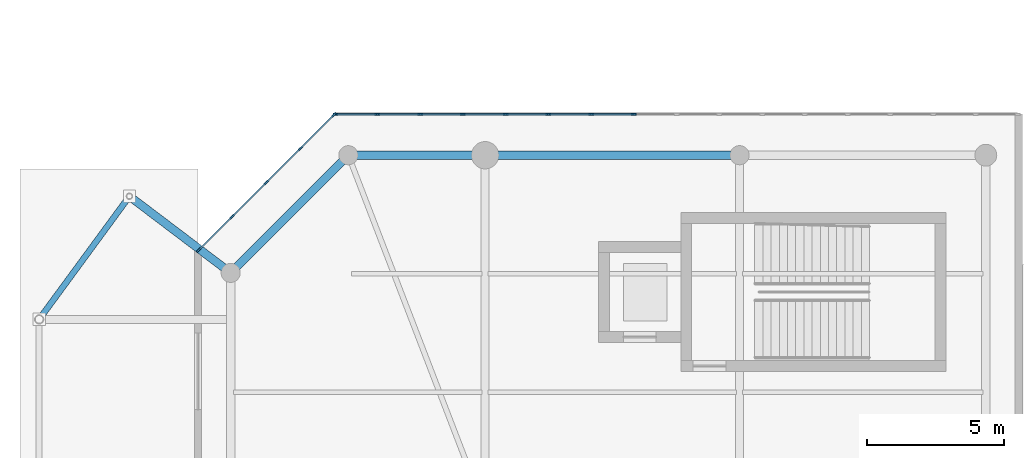
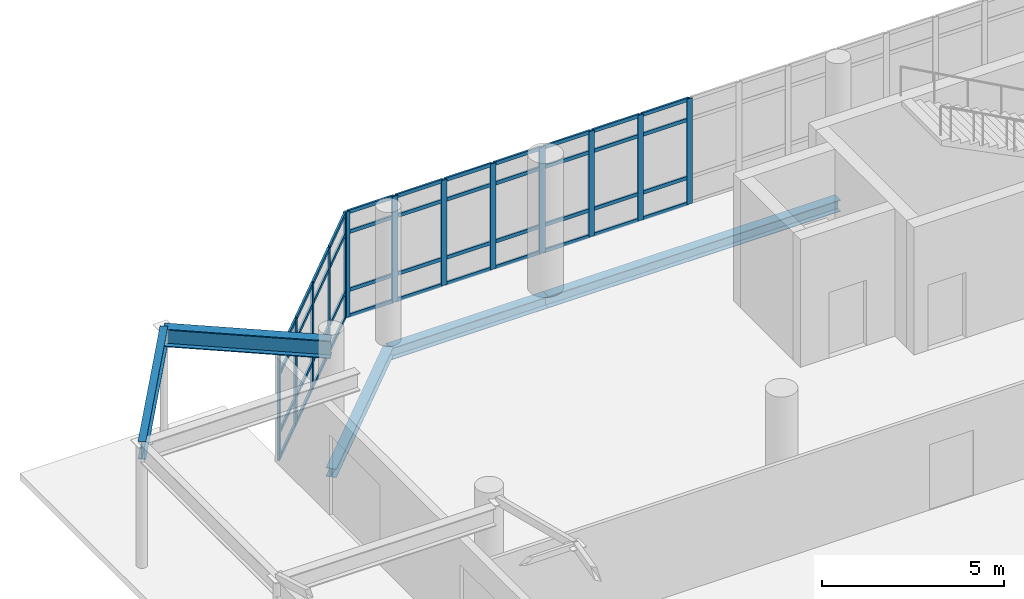
# One storey, part 50 of 122: 57 members, 5 beams, 2 elements without a shape of their own.
"""IFC4 building model written with IfcOpenShell, lengths in metres."""

from ifc_helpers import new_model, si_unit, direction, frame, origin, origin_2d, place, context, subcontext, project, spatial, rectangle, i_section, extrude, material, layer, layer_set, material_profile, profile_set, type_object, element, aggregate, save


model = new_model("IFC4")

# Units and contexts
model_context = context("Model", 3, precision=1e-05, world=origin(), true_north=direction((0.0, 1.0)))
body_context = subcontext(model_context, "Body", "Model", "MODEL_VIEW")
ifc_project = project(units=[si_unit("LENGTHUNIT", "METRE"), si_unit("AREAUNIT", "SQUARE_METRE"), si_unit("VOLUMEUNIT", "CUBIC_METRE"), si_unit("PLANEANGLEUNIT", "RADIAN"), si_unit("MASSUNIT", "GRAM", prefix="KILO")], contexts=[model_context])

# Site, building, storey
site_placement = place(None, origin())
site = spatial("IfcSite", under=ifc_project, at=site_placement, CompositionType="ELEMENT")
building_placement = place(site_placement, origin())
building = spatial("IfcBuilding", under=site, at=building_placement, Name="Sohan Crest Arena", CompositionType="ELEMENT")
storey_placement = place(building_placement, origin())
storey = spatial("IfcBuildingStorey", under=building, at=storey_placement, Name="L00", CompositionType="ELEMENT", Elevation=0.0)

# Curtain wall, members
ifc_material_1 = material(Name="Thermally broken anodised aluminium", Category="aluminium")
ifc_layer = layer(ifc_material_1, 0.199951171875, Name="Thermally broken anodised aluminium")
ifc_layer_set = layer_set([ifc_layer], Name="Thermally broken anodised aluminium")
curtain_wall_type = type_object("IfcCurtainWallType", Name="ARC-CW02", PredefinedType="NOTDEFINED", material=ifc_layer_set)
curtain_wall_1_placement = place(storey_placement, origin())
curtain_wall_1 = element("IfcCurtainWall", 1, at=curtain_wall_1_placement, inside=storey, type_object=curtain_wall_type, Name="Unitised curtain wall CW-203", PredefinedType="NOTDEFINED")
ifc_material_profile_1 = material_profile(ifc_material_1, rectangle(XDim=0.06494140625, YDim=0.179931640625, at=origin_2d()), Name="ALU-MULL 65x180")
ifc_profile_set_1 = profile_set([ifc_material_profile_1], Name="Thermally broken anodised aluminium")
member_type_1 = type_object("IfcMemberType", Name="ARC-CW-ML02", PredefinedType="MULLION", material=ifc_profile_set_1)
member_1_placement = place(storey_placement, frame((29.9375, 106.0, 0.0), z_axis=(0.0, 0.0, 1.0), x_axis=(0.0, -1.0, 0.0)))
member_1 = element("IfcMember", 2, at=member_1_placement, type_object=member_type_1, Name="CW-203 mullion 10", PredefinedType="MULLION", context=body_context, shape_type="SweptSolid", body=[
    extrude(rectangle(XDim=0.06494140625, YDim=0.179931640625, at=origin_2d()), origin(), (0.0, 0.0, 1.0), 3.550048828125),
])
member_2_placement = place(storey_placement, frame((28.375, 106.0, 0.0), z_axis=(0.0, 0.0, 1.0), x_axis=(0.0, -1.0, 0.0)))
member_2 = element("IfcMember", 3, at=member_2_placement, type_object=member_type_1, Name="CW-203 mullion 11", PredefinedType="MULLION", context=body_context, shape_type="SweptSolid", body=[
    extrude(rectangle(XDim=0.06494140625, YDim=0.179931640625, at=origin_2d()), origin(), (0.0, 0.0, 1.0), 3.550048828125),
])
member_3_placement = place(storey_placement, frame((26.8125, 106.0, 0.0), z_axis=(0.0, 0.0, 1.0), x_axis=(0.0, -1.0, 0.0)))
member_3 = element("IfcMember", 4, at=member_3_placement, type_object=member_type_1, Name="CW-203 mullion 12", PredefinedType="MULLION", context=body_context, shape_type="SweptSolid", body=[
    extrude(rectangle(XDim=0.06494140625, YDim=0.179931640625, at=origin_2d()), origin(), (0.0, 0.0, 1.0), 3.550048828125),
])
member_4_placement = place(storey_placement, frame((25.25, 106.0, 0.0), z_axis=(0.0, 0.0, 1.0), x_axis=(0.0, -1.0, 0.0)))
member_4 = element("IfcMember", 5, at=member_4_placement, type_object=member_type_1, Name="CW-203 mullion 13", PredefinedType="MULLION", context=body_context, shape_type="SweptSolid", body=[
    extrude(rectangle(XDim=0.06494140625, YDim=0.179931640625, at=origin_2d()), origin(), (0.0, 0.0, 1.0), 3.550048828125),
])
member_5_placement = place(storey_placement, frame((23.6875, 106.0, 0.0), z_axis=(0.0, 0.0, 1.0), x_axis=(0.0, -1.0, 0.0)))
member_5 = element("IfcMember", 6, at=member_5_placement, type_object=member_type_1, Name="CW-203 mullion 14", PredefinedType="MULLION", context=body_context, shape_type="SweptSolid", body=[
    extrude(rectangle(XDim=0.06494140625, YDim=0.179931640625, at=origin_2d()), origin(), (0.0, 0.0, 1.0), 3.550048828125),
])
member_6_placement = place(storey_placement, frame((22.125, 106.0, 0.0), z_axis=(0.0, 0.0, 1.0), x_axis=(0.0, -1.0, 0.0)))
member_6 = element("IfcMember", 7, at=member_6_placement, type_object=member_type_1, Name="CW-203 mullion 15", PredefinedType="MULLION", context=body_context, shape_type="SweptSolid", body=[
    extrude(rectangle(XDim=0.06494140625, YDim=0.179931640625, at=origin_2d()), origin(), (0.0, 0.0, 1.0), 3.550048828125),
])
member_7_placement = place(storey_placement, frame((20.5625, 106.0, 0.0), z_axis=(0.0, 0.0, 1.0), x_axis=(0.0, -1.0, 0.0)))
member_7 = element("IfcMember", 8, at=member_7_placement, type_object=member_type_1, Name="CW-203 mullion 16", PredefinedType="MULLION", context=body_context, shape_type="SweptSolid", body=[
    extrude(rectangle(XDim=0.06494140625, YDim=0.179931640625, at=origin_2d()), origin(), (0.0, 0.0, 1.0), 3.550048828125),
])
member_8_placement = place(storey_placement, frame((19.032470703125, 106.0, 0.0), z_axis=(0.0, 0.0, 1.0), x_axis=(0.0, -1.0, 0.0)))
member_8 = element("IfcMember", 9, at=member_8_placement, type_object=member_type_1, Name="CW-203 mullion 17", PredefinedType="MULLION", context=body_context, shape_type="SweptSolid", body=[
    extrude(rectangle(XDim=0.06494140625, YDim=0.179931640625, at=origin_2d()), origin(), (0.0, 0.0, 1.0), 3.550048828125),
])

curtain_wall_2_placement = place(storey_placement, origin())
curtain_wall_2 = element("IfcCurtainWall", 10, at=curtain_wall_2_placement, inside=storey, type_object=curtain_wall_type, Name="Unitised curtain wall CW-204", PredefinedType="NOTDEFINED")
member_9_placement = place(storey_placement, frame((18.97705078125, 105.97705078125, 0.0), z_axis=(0.0, 0.0, 1.0), x_axis=(0.707106781187, -0.707106781187, 0.0)))
member_9 = element("IfcMember", 11, at=member_9_placement, type_object=member_type_1, Name="CW-204 mullion 1", PredefinedType="MULLION", context=body_context, shape_type="SweptSolid", body=[
    extrude(rectangle(XDim=0.06494140625, YDim=0.179931640625, at=origin_2d()), origin(), (0.0, 0.0, 1.0), 3.550048828125),
])
member_10_placement = place(storey_placement, frame((17.75, 104.75, 0.0), z_axis=(0.0, 0.0, 1.0), x_axis=(0.707106781187, -0.707106781187, 0.0)))
member_10 = element("IfcMember", 12, at=member_10_placement, type_object=member_type_1, Name="CW-204 mullion 2", PredefinedType="MULLION", context=body_context, shape_type="SweptSolid", body=[
    extrude(rectangle(XDim=0.06494140625, YDim=0.179931640625, at=origin_2d()), origin(), (0.0, 0.0, 1.0), 3.550048828125),
])
member_11_placement = place(storey_placement, frame((16.5, 103.5, 0.0), z_axis=(0.0, 0.0, 1.0), x_axis=(0.707106781187, -0.707106781187, 0.0)))
member_11 = element("IfcMember", 13, at=member_11_placement, type_object=member_type_1, Name="CW-204 mullion 3", PredefinedType="MULLION", context=body_context, shape_type="SweptSolid", body=[
    extrude(rectangle(XDim=0.06494140625, YDim=0.179931640625, at=origin_2d()), origin(), (0.0, 0.0, 1.0), 3.550048828125),
])
member_12_placement = place(storey_placement, frame((15.25, 102.25, 0.0), z_axis=(0.0, 0.0, 1.0), x_axis=(0.707106781187, -0.707106781187, 0.0)))
member_12 = element("IfcMember", 14, at=member_12_placement, type_object=member_type_1, Name="CW-204 mullion 4", PredefinedType="MULLION", context=body_context, shape_type="SweptSolid", body=[
    extrude(rectangle(XDim=0.06494140625, YDim=0.179931640625, at=origin_2d()), origin(), (0.0, 0.0, 1.0), 3.550048828125),
])
member_13_placement = place(storey_placement, frame((14.02294921875, 101.02294921875, 0.0), z_axis=(0.0, 0.0, 1.0), x_axis=(0.707106781187, -0.707106781187, 0.0)))
member_13 = element("IfcMember", 15, at=member_13_placement, type_object=member_type_1, Name="CW-204 mullion 5", PredefinedType="MULLION", context=body_context, shape_type="SweptSolid", body=[
    extrude(rectangle(XDim=0.06494140625, YDim=0.179931640625, at=origin_2d()), origin(), (0.0, 0.0, 1.0), 3.550048828125),
])

# Member
ifc_material_profile_2 = material_profile(ifc_material_1, rectangle(XDim=0.06005859375, YDim=0.1201171875, at=origin_2d()), Name="ALU-TRAN 60x120")
ifc_profile_set_2 = profile_set([ifc_material_profile_2], Name="Thermally broken anodised aluminium")
member_type_2 = type_object("IfcMemberType", Name="ARC-CW-TR01", PredefinedType="USERDEFINED", material=ifc_profile_set_2)
member_14_placement = place(storey_placement, frame((29.905029296875, 106.0, 0.030029296875), z_axis=(-1.0, 0.0, 0.0), x_axis=(0.0, -1.0, 0.0)))
member_14 = element("IfcMember", 16, at=member_14_placement, type_object=member_type_2, Name="CW-203 transom 10.1", ObjectType="TRANSOM", PredefinedType="USERDEFINED", context=body_context, shape_type="SweptSolid", body=[
    extrude(rectangle(XDim=0.06005859375, YDim=0.1201171875, at=origin_2d()), origin(), (0.0, 0.0, 1.0), 1.49755859375),
])

member_15_placement = place(storey_placement, frame((29.905029296875, 106.0, 0.89990234375), z_axis=(-1.0, 0.0, 0.0), x_axis=(0.0, -1.0, 0.0)))
member_15 = element("IfcMember", 17, at=member_15_placement, type_object=member_type_2, Name="CW-203 transom 10.2", ObjectType="TRANSOM", PredefinedType="USERDEFINED", context=body_context, shape_type="SweptSolid", body=[
    extrude(rectangle(XDim=0.06005859375, YDim=0.1201171875, at=origin_2d()), origin(), (0.0, 0.0, 1.0), 1.49755859375),
])

member_16_placement = place(storey_placement, frame((29.905029296875, 106.0, 2.85009765625), z_axis=(-1.0, 0.0, 0.0), x_axis=(0.0, -1.0, 0.0)))
member_16 = element("IfcMember", 18, at=member_16_placement, type_object=member_type_2, Name="CW-203 transom 10.3", ObjectType="TRANSOM", PredefinedType="USERDEFINED", context=body_context, shape_type="SweptSolid", body=[
    extrude(rectangle(XDim=0.06005859375, YDim=0.1201171875, at=origin_2d()), origin(), (0.0, 0.0, 1.0), 1.49755859375),
])

member_17_placement = place(storey_placement, frame((29.905029296875, 106.0, 3.52001953125), z_axis=(-1.0, 0.0, 0.0), x_axis=(0.0, -1.0, 0.0)))
member_17 = element("IfcMember", 19, at=member_17_placement, type_object=member_type_2, Name="CW-203 transom 10.4", ObjectType="TRANSOM", PredefinedType="USERDEFINED", context=body_context, shape_type="SweptSolid", body=[
    extrude(rectangle(XDim=0.06005859375, YDim=0.1201171875, at=origin_2d()), origin(), (0.0, 0.0, 1.0), 1.49755859375),
])

member_18_placement = place(storey_placement, frame((28.342529296875, 106.0, 0.030029296875), z_axis=(-1.0, 0.0, 0.0), x_axis=(0.0, -1.0, 0.0)))
member_18 = element("IfcMember", 20, at=member_18_placement, type_object=member_type_2, Name="CW-203 transom 11.1", ObjectType="TRANSOM", PredefinedType="USERDEFINED", context=body_context, shape_type="SweptSolid", body=[
    extrude(rectangle(XDim=0.06005859375, YDim=0.1201171875, at=origin_2d()), origin(), (0.0, 0.0, 1.0), 1.49755859375),
])

member_19_placement = place(storey_placement, frame((28.342529296875, 106.0, 0.89990234375), z_axis=(-1.0, 0.0, 0.0), x_axis=(0.0, -1.0, 0.0)))
member_19 = element("IfcMember", 21, at=member_19_placement, type_object=member_type_2, Name="CW-203 transom 11.2", ObjectType="TRANSOM", PredefinedType="USERDEFINED", context=body_context, shape_type="SweptSolid", body=[
    extrude(rectangle(XDim=0.06005859375, YDim=0.1201171875, at=origin_2d()), origin(), (0.0, 0.0, 1.0), 1.49755859375),
])

member_20_placement = place(storey_placement, frame((28.342529296875, 106.0, 2.85009765625), z_axis=(-1.0, 0.0, 0.0), x_axis=(0.0, -1.0, 0.0)))
member_20 = element("IfcMember", 22, at=member_20_placement, type_object=member_type_2, Name="CW-203 transom 11.3", ObjectType="TRANSOM", PredefinedType="USERDEFINED", context=body_context, shape_type="SweptSolid", body=[
    extrude(rectangle(XDim=0.06005859375, YDim=0.1201171875, at=origin_2d()), origin(), (0.0, 0.0, 1.0), 1.49755859375),
])

member_21_placement = place(storey_placement, frame((28.342529296875, 106.0, 3.52001953125), z_axis=(-1.0, 0.0, 0.0), x_axis=(0.0, -1.0, 0.0)))
member_21 = element("IfcMember", 23, at=member_21_placement, type_object=member_type_2, Name="CW-203 transom 11.4", ObjectType="TRANSOM", PredefinedType="USERDEFINED", context=body_context, shape_type="SweptSolid", body=[
    extrude(rectangle(XDim=0.06005859375, YDim=0.1201171875, at=origin_2d()), origin(), (0.0, 0.0, 1.0), 1.49755859375),
])

member_22_placement = place(storey_placement, frame((26.780029296875, 106.0, 0.030029296875), z_axis=(-1.0, 0.0, 0.0), x_axis=(0.0, -1.0, 0.0)))
member_22 = element("IfcMember", 24, at=member_22_placement, type_object=member_type_2, Name="CW-203 transom 12.1", ObjectType="TRANSOM", PredefinedType="USERDEFINED", context=body_context, shape_type="SweptSolid", body=[
    extrude(rectangle(XDim=0.06005859375, YDim=0.1201171875, at=origin_2d()), origin(), (0.0, 0.0, 1.0), 1.49755859375),
])

member_23_placement = place(storey_placement, frame((26.780029296875, 106.0, 0.89990234375), z_axis=(-1.0, 0.0, 0.0), x_axis=(0.0, -1.0, 0.0)))
member_23 = element("IfcMember", 25, at=member_23_placement, type_object=member_type_2, Name="CW-203 transom 12.2", ObjectType="TRANSOM", PredefinedType="USERDEFINED", context=body_context, shape_type="SweptSolid", body=[
    extrude(rectangle(XDim=0.06005859375, YDim=0.1201171875, at=origin_2d()), origin(), (0.0, 0.0, 1.0), 1.49755859375),
])

member_24_placement = place(storey_placement, frame((26.780029296875, 106.0, 2.85009765625), z_axis=(-1.0, 0.0, 0.0), x_axis=(0.0, -1.0, 0.0)))
member_24 = element("IfcMember", 26, at=member_24_placement, type_object=member_type_2, Name="CW-203 transom 12.3", ObjectType="TRANSOM", PredefinedType="USERDEFINED", context=body_context, shape_type="SweptSolid", body=[
    extrude(rectangle(XDim=0.06005859375, YDim=0.1201171875, at=origin_2d()), origin(), (0.0, 0.0, 1.0), 1.49755859375),
])

member_25_placement = place(storey_placement, frame((26.780029296875, 106.0, 3.52001953125), z_axis=(-1.0, 0.0, 0.0), x_axis=(0.0, -1.0, 0.0)))
member_25 = element("IfcMember", 27, at=member_25_placement, type_object=member_type_2, Name="CW-203 transom 12.4", ObjectType="TRANSOM", PredefinedType="USERDEFINED", context=body_context, shape_type="SweptSolid", body=[
    extrude(rectangle(XDim=0.06005859375, YDim=0.1201171875, at=origin_2d()), origin(), (0.0, 0.0, 1.0), 1.49755859375),
])

member_26_placement = place(storey_placement, frame((25.217529296875, 106.0, 0.030029296875), z_axis=(-1.0, 0.0, 0.0), x_axis=(0.0, -1.0, 0.0)))
member_26 = element("IfcMember", 28, at=member_26_placement, type_object=member_type_2, Name="CW-203 transom 13.1", ObjectType="TRANSOM", PredefinedType="USERDEFINED", context=body_context, shape_type="SweptSolid", body=[
    extrude(rectangle(XDim=0.06005859375, YDim=0.1201171875, at=origin_2d()), origin(), (0.0, 0.0, 1.0), 1.49755859375),
])

member_27_placement = place(storey_placement, frame((25.217529296875, 106.0, 0.89990234375), z_axis=(-1.0, 0.0, 0.0), x_axis=(0.0, -1.0, 0.0)))
member_27 = element("IfcMember", 29, at=member_27_placement, type_object=member_type_2, Name="CW-203 transom 13.2", ObjectType="TRANSOM", PredefinedType="USERDEFINED", context=body_context, shape_type="SweptSolid", body=[
    extrude(rectangle(XDim=0.06005859375, YDim=0.1201171875, at=origin_2d()), origin(), (0.0, 0.0, 1.0), 1.49755859375),
])

member_28_placement = place(storey_placement, frame((25.217529296875, 106.0, 2.85009765625), z_axis=(-1.0, 0.0, 0.0), x_axis=(0.0, -1.0, 0.0)))
member_28 = element("IfcMember", 30, at=member_28_placement, type_object=member_type_2, Name="CW-203 transom 13.3", ObjectType="TRANSOM", PredefinedType="USERDEFINED", context=body_context, shape_type="SweptSolid", body=[
    extrude(rectangle(XDim=0.06005859375, YDim=0.1201171875, at=origin_2d()), origin(), (0.0, 0.0, 1.0), 1.49755859375),
])

member_29_placement = place(storey_placement, frame((25.217529296875, 106.0, 3.52001953125), z_axis=(-1.0, 0.0, 0.0), x_axis=(0.0, -1.0, 0.0)))
member_29 = element("IfcMember", 31, at=member_29_placement, type_object=member_type_2, Name="CW-203 transom 13.4", ObjectType="TRANSOM", PredefinedType="USERDEFINED", context=body_context, shape_type="SweptSolid", body=[
    extrude(rectangle(XDim=0.06005859375, YDim=0.1201171875, at=origin_2d()), origin(), (0.0, 0.0, 1.0), 1.49755859375),
])

member_30_placement = place(storey_placement, frame((23.655029296875, 106.0, 0.030029296875), z_axis=(-1.0, 0.0, 0.0), x_axis=(0.0, -1.0, 0.0)))
member_30 = element("IfcMember", 32, at=member_30_placement, type_object=member_type_2, Name="CW-203 transom 14.1", ObjectType="TRANSOM", PredefinedType="USERDEFINED", context=body_context, shape_type="SweptSolid", body=[
    extrude(rectangle(XDim=0.06005859375, YDim=0.1201171875, at=origin_2d()), origin(), (0.0, 0.0, 1.0), 1.49755859375),
])

member_31_placement = place(storey_placement, frame((23.655029296875, 106.0, 0.89990234375), z_axis=(-1.0, 0.0, 0.0), x_axis=(0.0, -1.0, 0.0)))
member_31 = element("IfcMember", 33, at=member_31_placement, type_object=member_type_2, Name="CW-203 transom 14.2", ObjectType="TRANSOM", PredefinedType="USERDEFINED", context=body_context, shape_type="SweptSolid", body=[
    extrude(rectangle(XDim=0.06005859375, YDim=0.1201171875, at=origin_2d()), origin(), (0.0, 0.0, 1.0), 1.49755859375),
])

member_32_placement = place(storey_placement, frame((23.655029296875, 106.0, 2.85009765625), z_axis=(-1.0, 0.0, 0.0), x_axis=(0.0, -1.0, 0.0)))
member_32 = element("IfcMember", 34, at=member_32_placement, type_object=member_type_2, Name="CW-203 transom 14.3", ObjectType="TRANSOM", PredefinedType="USERDEFINED", context=body_context, shape_type="SweptSolid", body=[
    extrude(rectangle(XDim=0.06005859375, YDim=0.1201171875, at=origin_2d()), origin(), (0.0, 0.0, 1.0), 1.49755859375),
])

member_33_placement = place(storey_placement, frame((23.655029296875, 106.0, 3.52001953125), z_axis=(-1.0, 0.0, 0.0), x_axis=(0.0, -1.0, 0.0)))
member_33 = element("IfcMember", 35, at=member_33_placement, type_object=member_type_2, Name="CW-203 transom 14.4", ObjectType="TRANSOM", PredefinedType="USERDEFINED", context=body_context, shape_type="SweptSolid", body=[
    extrude(rectangle(XDim=0.06005859375, YDim=0.1201171875, at=origin_2d()), origin(), (0.0, 0.0, 1.0), 1.49755859375),
])

member_34_placement = place(storey_placement, frame((22.092529296875, 106.0, 0.030029296875), z_axis=(-1.0, 0.0, 0.0), x_axis=(0.0, -1.0, 0.0)))
member_34 = element("IfcMember", 36, at=member_34_placement, type_object=member_type_2, Name="CW-203 transom 15.1", ObjectType="TRANSOM", PredefinedType="USERDEFINED", context=body_context, shape_type="SweptSolid", body=[
    extrude(rectangle(XDim=0.06005859375, YDim=0.1201171875, at=origin_2d()), origin(), (0.0, 0.0, 1.0), 1.49755859375),
])

member_35_placement = place(storey_placement, frame((22.092529296875, 106.0, 0.89990234375), z_axis=(-1.0, 0.0, 0.0), x_axis=(0.0, -1.0, 0.0)))
member_35 = element("IfcMember", 37, at=member_35_placement, type_object=member_type_2, Name="CW-203 transom 15.2", ObjectType="TRANSOM", PredefinedType="USERDEFINED", context=body_context, shape_type="SweptSolid", body=[
    extrude(rectangle(XDim=0.06005859375, YDim=0.1201171875, at=origin_2d()), origin(), (0.0, 0.0, 1.0), 1.49755859375),
])

member_36_placement = place(storey_placement, frame((22.092529296875, 106.0, 2.85009765625), z_axis=(-1.0, 0.0, 0.0), x_axis=(0.0, -1.0, 0.0)))
member_36 = element("IfcMember", 38, at=member_36_placement, type_object=member_type_2, Name="CW-203 transom 15.3", ObjectType="TRANSOM", PredefinedType="USERDEFINED", context=body_context, shape_type="SweptSolid", body=[
    extrude(rectangle(XDim=0.06005859375, YDim=0.1201171875, at=origin_2d()), origin(), (0.0, 0.0, 1.0), 1.49755859375),
])

member_37_placement = place(storey_placement, frame((22.092529296875, 106.0, 3.52001953125), z_axis=(-1.0, 0.0, 0.0), x_axis=(0.0, -1.0, 0.0)))
member_37 = element("IfcMember", 39, at=member_37_placement, type_object=member_type_2, Name="CW-203 transom 15.4", ObjectType="TRANSOM", PredefinedType="USERDEFINED", context=body_context, shape_type="SweptSolid", body=[
    extrude(rectangle(XDim=0.06005859375, YDim=0.1201171875, at=origin_2d()), origin(), (0.0, 0.0, 1.0), 1.49755859375),
])

member_38_placement = place(storey_placement, frame((20.530029296875, 106.0, 0.030029296875), z_axis=(-1.0, 0.0, 0.0), x_axis=(0.0, -1.0, 0.0)))
member_38 = element("IfcMember", 40, at=member_38_placement, type_object=member_type_2, Name="CW-203 transom 16.1", ObjectType="TRANSOM", PredefinedType="USERDEFINED", context=body_context, shape_type="SweptSolid", body=[
    extrude(rectangle(XDim=0.06005859375, YDim=0.1201171875, at=origin_2d()), origin(), (0.0, 0.0, 1.0), 1.465087890625),
])

member_39_placement = place(storey_placement, frame((20.530029296875, 106.0, 0.89990234375), z_axis=(-1.0, 0.0, 0.0), x_axis=(0.0, -1.0, 0.0)))
member_39 = element("IfcMember", 41, at=member_39_placement, type_object=member_type_2, Name="CW-203 transom 16.2", ObjectType="TRANSOM", PredefinedType="USERDEFINED", context=body_context, shape_type="SweptSolid", body=[
    extrude(rectangle(XDim=0.06005859375, YDim=0.1201171875, at=origin_2d()), origin(), (0.0, 0.0, 1.0), 1.465087890625),
])

member_40_placement = place(storey_placement, frame((20.530029296875, 106.0, 2.85009765625), z_axis=(-1.0, 0.0, 0.0), x_axis=(0.0, -1.0, 0.0)))
member_40 = element("IfcMember", 42, at=member_40_placement, type_object=member_type_2, Name="CW-203 transom 16.3", ObjectType="TRANSOM", PredefinedType="USERDEFINED", context=body_context, shape_type="SweptSolid", body=[
    extrude(rectangle(XDim=0.06005859375, YDim=0.1201171875, at=origin_2d()), origin(), (0.0, 0.0, 1.0), 1.465087890625),
])

member_41_placement = place(storey_placement, frame((20.530029296875, 106.0, 3.52001953125), z_axis=(-1.0, 0.0, 0.0), x_axis=(0.0, -1.0, 0.0)))
member_41 = element("IfcMember", 43, at=member_41_placement, type_object=member_type_2, Name="CW-203 transom 16.4", ObjectType="TRANSOM", PredefinedType="USERDEFINED", context=body_context, shape_type="SweptSolid", body=[
    extrude(rectangle(XDim=0.06005859375, YDim=0.1201171875, at=origin_2d()), origin(), (0.0, 0.0, 1.0), 1.465087890625),
])

aggregate(curtain_wall_1, [member_1, member_2, member_3, member_4, member_5, member_6, member_7, member_8, member_14, member_15, member_16, member_17, member_18, member_19, member_20, member_21, member_22, member_23, member_24, member_25, member_26, member_27, member_28, member_29, member_30, member_31, member_32, member_33, member_34, member_35, member_36, member_37, member_38, member_39, member_40, member_41])

member_42_placement = place(storey_placement, frame((18.9541015625, 105.9541015625, 0.030029296875), z_axis=(-0.707106781187, -0.707106781187, 0.0), x_axis=(0.707106781187, -0.707106781187, 0.0)))
member_42 = element("IfcMember", 44, at=member_42_placement, type_object=member_type_2, Name="CW-204 transom 1.1", ObjectType="TRANSOM", PredefinedType="USERDEFINED", context=body_context, shape_type="SweptSolid", body=[
    extrude(rectangle(XDim=0.06005859375, YDim=0.1201171875, at=origin_2d()), origin(), (0.0, 0.0, 1.0), 1.67041015625),
])

member_43_placement = place(storey_placement, frame((18.9541015625, 105.9541015625, 0.89990234375), z_axis=(-0.707106781187, -0.707106781187, 0.0), x_axis=(0.707106781187, -0.707106781187, 0.0)))
member_43 = element("IfcMember", 45, at=member_43_placement, type_object=member_type_2, Name="CW-204 transom 1.2", ObjectType="TRANSOM", PredefinedType="USERDEFINED", context=body_context, shape_type="SweptSolid", body=[
    extrude(rectangle(XDim=0.06005859375, YDim=0.1201171875, at=origin_2d()), origin(), (0.0, 0.0, 1.0), 1.67041015625),
])

member_44_placement = place(storey_placement, frame((18.9541015625, 105.9541015625, 2.85009765625), z_axis=(-0.707106781187, -0.707106781187, 0.0), x_axis=(0.707106781187, -0.707106781187, 0.0)))
member_44 = element("IfcMember", 46, at=member_44_placement, type_object=member_type_2, Name="CW-204 transom 1.3", ObjectType="TRANSOM", PredefinedType="USERDEFINED", context=body_context, shape_type="SweptSolid", body=[
    extrude(rectangle(XDim=0.06005859375, YDim=0.1201171875, at=origin_2d()), origin(), (0.0, 0.0, 1.0), 1.67041015625),
])

member_45_placement = place(storey_placement, frame((18.9541015625, 105.9541015625, 3.52001953125), z_axis=(-0.707106781187, -0.707106781187, 0.0), x_axis=(0.707106781187, -0.707106781187, 0.0)))
member_45 = element("IfcMember", 47, at=member_45_placement, type_object=member_type_2, Name="CW-204 transom 1.4", ObjectType="TRANSOM", PredefinedType="USERDEFINED", context=body_context, shape_type="SweptSolid", body=[
    extrude(rectangle(XDim=0.06005859375, YDim=0.1201171875, at=origin_2d()), origin(), (0.0, 0.0, 1.0), 1.67041015625),
])

member_46_placement = place(storey_placement, frame((17.72705078125, 104.72705078125, 0.030029296875), z_axis=(-0.707106781187, -0.707106781187, 0.0), x_axis=(0.707106781187, -0.707106781187, 0.0)))
member_46 = element("IfcMember", 48, at=member_46_placement, type_object=member_type_2, Name="CW-204 transom 2.1", ObjectType="TRANSOM", PredefinedType="USERDEFINED", context=body_context, shape_type="SweptSolid", body=[
    extrude(rectangle(XDim=0.06005859375, YDim=0.1201171875, at=origin_2d()), origin(), (0.0, 0.0, 1.0), 1.702880859375),
])

member_47_placement = place(storey_placement, frame((17.72705078125, 104.72705078125, 0.89990234375), z_axis=(-0.707106781187, -0.707106781187, 0.0), x_axis=(0.707106781187, -0.707106781187, 0.0)))
member_47 = element("IfcMember", 49, at=member_47_placement, type_object=member_type_2, Name="CW-204 transom 2.2", ObjectType="TRANSOM", PredefinedType="USERDEFINED", context=body_context, shape_type="SweptSolid", body=[
    extrude(rectangle(XDim=0.06005859375, YDim=0.1201171875, at=origin_2d()), origin(), (0.0, 0.0, 1.0), 1.702880859375),
])

member_48_placement = place(storey_placement, frame((17.72705078125, 104.72705078125, 2.85009765625), z_axis=(-0.707106781187, -0.707106781187, 0.0), x_axis=(0.707106781187, -0.707106781187, 0.0)))
member_48 = element("IfcMember", 50, at=member_48_placement, type_object=member_type_2, Name="CW-204 transom 2.3", ObjectType="TRANSOM", PredefinedType="USERDEFINED", context=body_context, shape_type="SweptSolid", body=[
    extrude(rectangle(XDim=0.06005859375, YDim=0.1201171875, at=origin_2d()), origin(), (0.0, 0.0, 1.0), 1.702880859375),
])

member_49_placement = place(storey_placement, frame((17.72705078125, 104.72705078125, 3.52001953125), z_axis=(-0.707106781187, -0.707106781187, 0.0), x_axis=(0.707106781187, -0.707106781187, 0.0)))
member_49 = element("IfcMember", 51, at=member_49_placement, type_object=member_type_2, Name="CW-204 transom 2.4", ObjectType="TRANSOM", PredefinedType="USERDEFINED", context=body_context, shape_type="SweptSolid", body=[
    extrude(rectangle(XDim=0.06005859375, YDim=0.1201171875, at=origin_2d()), origin(), (0.0, 0.0, 1.0), 1.702880859375),
])

member_50_placement = place(storey_placement, frame((16.47705078125, 103.47705078125, 0.030029296875), z_axis=(-0.707106781187, -0.707106781187, 0.0), x_axis=(0.707106781187, -0.707106781187, 0.0)))
member_50 = element("IfcMember", 52, at=member_50_placement, type_object=member_type_2, Name="CW-204 transom 3.1", ObjectType="TRANSOM", PredefinedType="USERDEFINED", context=body_context, shape_type="SweptSolid", body=[
    extrude(rectangle(XDim=0.06005859375, YDim=0.1201171875, at=origin_2d()), origin(), (0.0, 0.0, 1.0), 1.702880859375),
])

member_51_placement = place(storey_placement, frame((16.47705078125, 103.47705078125, 0.89990234375), z_axis=(-0.707106781187, -0.707106781187, 0.0), x_axis=(0.707106781187, -0.707106781187, 0.0)))
member_51 = element("IfcMember", 53, at=member_51_placement, type_object=member_type_2, Name="CW-204 transom 3.2", ObjectType="TRANSOM", PredefinedType="USERDEFINED", context=body_context, shape_type="SweptSolid", body=[
    extrude(rectangle(XDim=0.06005859375, YDim=0.1201171875, at=origin_2d()), origin(), (0.0, 0.0, 1.0), 1.702880859375),
])

member_52_placement = place(storey_placement, frame((16.47705078125, 103.47705078125, 2.85009765625), z_axis=(-0.707106781187, -0.707106781187, 0.0), x_axis=(0.707106781187, -0.707106781187, 0.0)))
member_52 = element("IfcMember", 54, at=member_52_placement, type_object=member_type_2, Name="CW-204 transom 3.3", ObjectType="TRANSOM", PredefinedType="USERDEFINED", context=body_context, shape_type="SweptSolid", body=[
    extrude(rectangle(XDim=0.06005859375, YDim=0.1201171875, at=origin_2d()), origin(), (0.0, 0.0, 1.0), 1.702880859375),
])

member_53_placement = place(storey_placement, frame((16.47705078125, 103.47705078125, 3.52001953125), z_axis=(-0.707106781187, -0.707106781187, 0.0), x_axis=(0.707106781187, -0.707106781187, 0.0)))
member_53 = element("IfcMember", 55, at=member_53_placement, type_object=member_type_2, Name="CW-204 transom 3.4", ObjectType="TRANSOM", PredefinedType="USERDEFINED", context=body_context, shape_type="SweptSolid", body=[
    extrude(rectangle(XDim=0.06005859375, YDim=0.1201171875, at=origin_2d()), origin(), (0.0, 0.0, 1.0), 1.702880859375),
])

member_54_placement = place(storey_placement, frame((15.22705078125, 102.22705078125, 0.030029296875), z_axis=(-0.707106781187, -0.707106781187, 0.0), x_axis=(0.707106781187, -0.707106781187, 0.0)))
member_54 = element("IfcMember", 56, at=member_54_placement, type_object=member_type_2, Name="CW-204 transom 4.1", ObjectType="TRANSOM", PredefinedType="USERDEFINED", context=body_context, shape_type="SweptSolid", body=[
    extrude(rectangle(XDim=0.06005859375, YDim=0.1201171875, at=origin_2d()), origin(), (0.0, 0.0, 1.0), 1.67041015625),
])

member_55_placement = place(storey_placement, frame((15.22705078125, 102.22705078125, 0.89990234375), z_axis=(-0.707106781187, -0.707106781187, 0.0), x_axis=(0.707106781187, -0.707106781187, 0.0)))
member_55 = element("IfcMember", 57, at=member_55_placement, type_object=member_type_2, Name="CW-204 transom 4.2", ObjectType="TRANSOM", PredefinedType="USERDEFINED", context=body_context, shape_type="SweptSolid", body=[
    extrude(rectangle(XDim=0.06005859375, YDim=0.1201171875, at=origin_2d()), origin(), (0.0, 0.0, 1.0), 1.67041015625),
])

member_56_placement = place(storey_placement, frame((15.22705078125, 102.22705078125, 2.85009765625), z_axis=(-0.707106781187, -0.707106781187, 0.0), x_axis=(0.707106781187, -0.707106781187, 0.0)))
member_56 = element("IfcMember", 58, at=member_56_placement, type_object=member_type_2, Name="CW-204 transom 4.3", ObjectType="TRANSOM", PredefinedType="USERDEFINED", context=body_context, shape_type="SweptSolid", body=[
    extrude(rectangle(XDim=0.06005859375, YDim=0.1201171875, at=origin_2d()), origin(), (0.0, 0.0, 1.0), 1.67041015625),
])

member_57_placement = place(storey_placement, frame((15.22705078125, 102.22705078125, 3.52001953125), z_axis=(-0.707106781187, -0.707106781187, 0.0), x_axis=(0.707106781187, -0.707106781187, 0.0)))
member_57 = element("IfcMember", 59, at=member_57_placement, type_object=member_type_2, Name="CW-204 transom 4.4", ObjectType="TRANSOM", PredefinedType="USERDEFINED", context=body_context, shape_type="SweptSolid", body=[
    extrude(rectangle(XDim=0.06005859375, YDim=0.1201171875, at=origin_2d()), origin(), (0.0, 0.0, 1.0), 1.67041015625),
])

aggregate(curtain_wall_2, [member_9, member_10, member_11, member_12, member_13, member_42, member_43, member_44, member_45, member_46, member_47, member_48, member_49, member_50, member_51, member_52, member_53, member_54, member_55, member_56, member_57])

# Beams
ifc_material_2 = material(Name="Steel S355", Category="steel")
ifc_material_profile_3 = material_profile(ifc_material_2, i_section(OverallWidth=0.219970703125, OverallDepth=0.60009765625, WebThickness=0.011962890625, FlangeThickness=0.01904296875, at=origin_2d()), Name="IPE 600")
ifc_profile_set_3 = profile_set([ifc_material_profile_3], Name="Steel S355")
beam_type_1 = type_object("IfcBeamType", Name="STR-BM-B07", PredefinedType="BEAM", material=ifc_profile_set_3)
beam_1_placement = place(storey_placement, frame((8.199951171875, 98.5, 3.85498046875), z_axis=(0.591369353648, 0.806400823144, 0.0), x_axis=(-0.806400823144, 0.591369353648, 0.0)))
element("IfcBeam", 60, at=beam_1_placement, inside=storey, type_object=beam_type_1, Name="Structural beam CN-L00-2152", PredefinedType="BEAM", context=body_context, shape_type="SweptSolid", body=[
    extrude(i_section(OverallWidth=0.219970703125, OverallDepth=0.60009765625, WebThickness=0.011962890625, FlangeThickness=0.01904296875, at=origin_2d()), origin(), (0.0, 0.0, 1.0), 5.580322265625),
])
ifc_material_profile_4 = material_profile(ifc_material_2, i_section(OverallWidth=0.300048828125, OverallDepth=0.2900390625, WebThickness=0.008544921875, FlangeThickness=0.013916015625, at=origin_2d()), Name="HEA 300")
ifc_profile_set_4 = profile_set([ifc_material_profile_4], Name="Steel S355")
beam_type_2 = type_object("IfcBeamType", Name="STR-BM-B08", PredefinedType="BEAM", material=ifc_profile_set_4)
beam_2_placement = place(storey_placement, frame((15.199951171875, 100.199951171875, -0.375), z_axis=(0.707106781187, 0.707106781187, 0.0), x_axis=(-0.707106781187, 0.707106781187, 0.0)))
element("IfcBeam", 61, at=beam_2_placement, inside=storey, type_object=beam_type_2, Name="Structural beam G-L00-1976", PredefinedType="BEAM", context=body_context, shape_type="SweptSolid", body=[
    extrude(i_section(OverallWidth=0.300048828125, OverallDepth=0.2900390625, WebThickness=0.008544921875, FlangeThickness=0.013916015625, at=origin_2d()), origin(), (0.0, 0.0, 1.0), 6.081298828125),
])
ifc_material_profile_5 = material_profile(ifc_material_2, i_section(OverallWidth=0.300048828125, OverallDepth=0.389892578125, WebThickness=0.010986328125, FlangeThickness=0.01904296875, at=origin_2d()), Name="HEA 400")
ifc_profile_set_5 = profile_set([ifc_material_profile_5], Name="Steel S355")
beam_type_3 = type_object("IfcBeamType", Name="STR-BM-B09", PredefinedType="BEAM", material=ifc_profile_set_5)
beam_3_placement = place(storey_placement, frame((19.5, 104.5, -0.425048828125), z_axis=(1.0, 0.0, 0.0), x_axis=(0.0, 1.0, 0.0)))
element("IfcBeam", 62, at=beam_3_placement, inside=storey, type_object=beam_type_3, Name="Structural beam G-L00-1972", PredefinedType="BEAM", context=body_context, shape_type="SweptSolid", body=[
    extrude(i_section(OverallWidth=0.300048828125, OverallDepth=0.389892578125, WebThickness=0.010986328125, FlangeThickness=0.01904296875, at=origin_2d()), origin(), (0.0, 0.0, 1.0), 5.0),
])
beam_4_placement = place(storey_placement, frame((24.5, 104.5, -0.425048828125), z_axis=(1.0, 0.0, 0.0), x_axis=(0.0, 1.0, 0.0)))
element("IfcBeam", 63, at=beam_4_placement, inside=storey, type_object=beam_type_3, Name="Structural beam G-L00-1973", PredefinedType="BEAM", context=body_context, shape_type="SweptSolid", body=[
    extrude(i_section(OverallWidth=0.300048828125, OverallDepth=0.389892578125, WebThickness=0.010986328125, FlangeThickness=0.01904296875, at=origin_2d()), origin(), (0.0, 0.0, 1.0), 9.300048828125),
])
ifc_material_profile_6 = material_profile(ifc_material_2, i_section(OverallWidth=0.300048828125, OverallDepth=0.60009765625, WebThickness=0.015380859375, FlangeThickness=0.030029296875, at=origin_2d()), Name="HEB 600")
ifc_profile_set_6 = profile_set([ifc_material_profile_6], Name="Steel S355")
beam_type_4 = type_object("IfcBeamType", Name="STR-BM-B15", PredefinedType="BEAM", material=ifc_profile_set_6)
beam_5_placement = place(storey_placement, frame((11.5, 103.0, 3.85498046875), z_axis=(0.797397489895, -0.603454425048, 0.0), x_axis=(0.603454425048, 0.797397489895, 0.0)))
element("IfcBeam", 64, at=beam_5_placement, inside=storey, type_object=beam_type_4, Name="Structural beam CN-L00-2154", PredefinedType="BEAM", context=body_context, shape_type="SweptSolid", body=[
    extrude(i_section(OverallWidth=0.300048828125, OverallDepth=0.60009765625, WebThickness=0.015380859375, FlangeThickness=0.030029296875, at=origin_2d()), origin(), (0.0, 0.0, 1.0), 4.64013671875),
])

save(model, "model.ifc")
